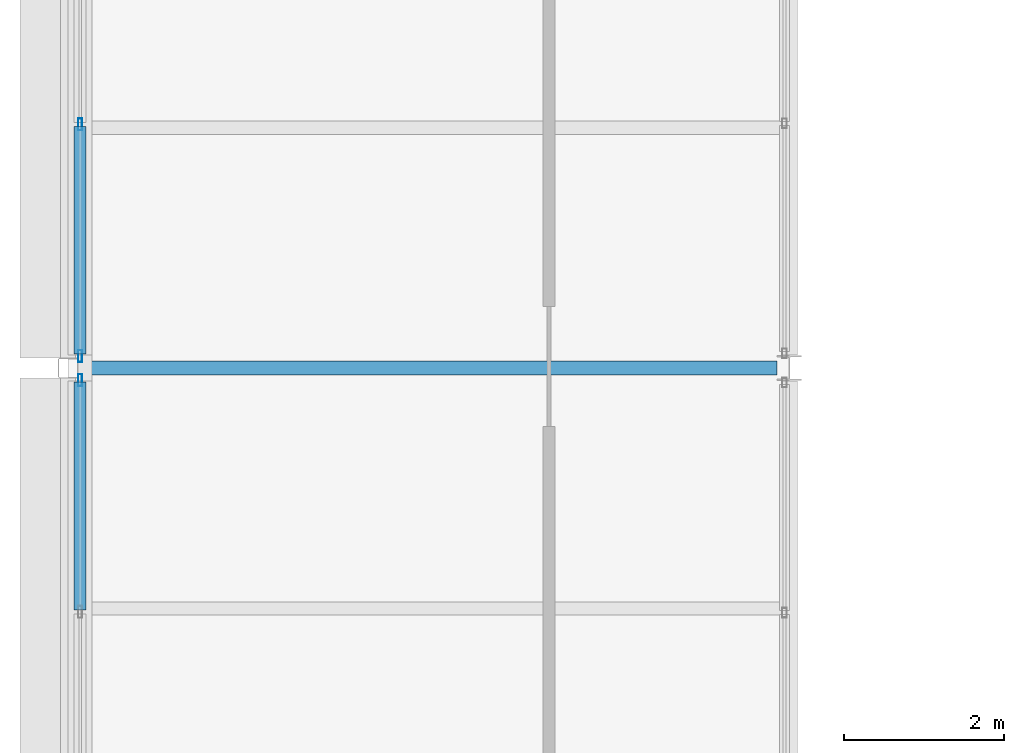
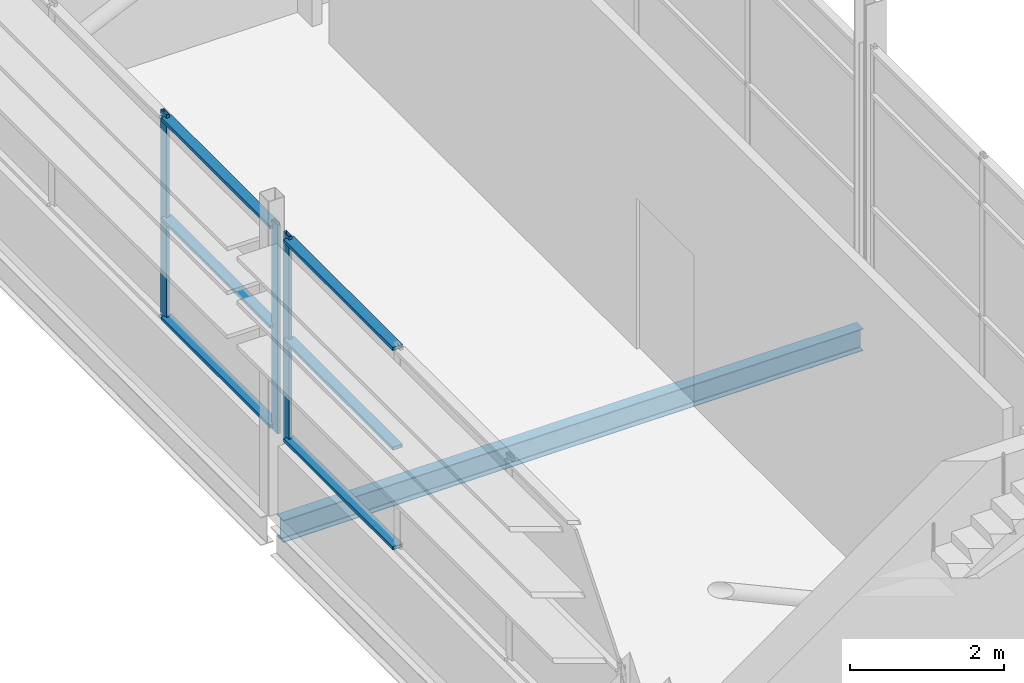
# One storey, part 17 of 61: 9 members, 1 beam, 2 elements without a shape of their own.
"""IFC4 building model written with IfcOpenShell, lengths in metres."""

from ifc_helpers import new_model, si_unit, direction, frame, origin, origin_2d, place, context, subcontext, project, spatial, hollow_rectangle, i_section, extrude, material, layer, layer_set, material_profile, profile_set, type_object, element, aggregate, save


model = new_model("IFC4")

# Units and contexts
model_context = context("Model", 3, precision=1e-05, world=origin(), true_north=direction((0.0, 1.0)))
body_context = subcontext(model_context, "Body", "Model", "MODEL_VIEW")
ifc_project = project(units=[si_unit("LENGTHUNIT", "METRE"), si_unit("AREAUNIT", "SQUARE_METRE"), si_unit("VOLUMEUNIT", "CUBIC_METRE"), si_unit("PLANEANGLEUNIT", "RADIAN"), si_unit("MASSUNIT", "GRAM", prefix="KILO")], contexts=[model_context])

# Site, building, storey
site_placement = place(None, origin())
site = spatial("IfcSite", under=ifc_project, at=site_placement, CompositionType="ELEMENT")
building_placement = place(site_placement, origin())
building = spatial("IfcBuilding", under=site, at=building_placement, Name="Shorebreak Coast Museum", CompositionType="ELEMENT")
storey_placement = place(building_placement, frame((0.0, 0.0, 26.0)))
storey = spatial("IfcBuildingStorey", under=building, at=storey_placement, Name="L04", CompositionType="ELEMENT", Elevation=26.0)

# Beam
ifc_material_1 = material(Name="Steel Grade 300", Category="steel")
ifc_material_profile_1 = material_profile(ifc_material_1, i_section(OverallWidth=0.1708984375, OverallDepth=0.35205078125, WebThickness=0.0068359375, FlangeThickness=0.009765625, FilletRadius=0.011474609375, at=origin_2d()), Name="360UB44.7")
ifc_profile_set_1 = profile_set([ifc_material_profile_1], Name="Steel Grade 300")
beam_type = type_object("IfcBeamType", Name="Floor girder east-west 360UB44.7", PredefinedType="BEAM", material=ifc_profile_set_1)
beam_placement = place(storey_placement, frame((54.125, 72.0, -0.35107421875), z_axis=(1.0, 0.0, 0.0), x_axis=(0.0, 1.0, 0.0)))
element("IfcBeam", 1, at=beam_placement, inside=storey, type_object=beam_type, Name="Floor girder east-west L04 7J", PredefinedType="BEAM", context=body_context, shape_type="SweptSolid", body=[
    extrude(i_section(OverallWidth=0.1708984375, OverallDepth=0.35205078125, WebThickness=0.0068359375, FlangeThickness=0.009765625, FilletRadius=0.011474609375, at=origin_2d()), origin(), (0.0, 0.0, 1.0), 8.720458984375),
])

# Curtain wall, member
ifc_material_2 = material(Name="Aluminium", Category="aluminium")
ifc_layer = layer(ifc_material_2, 0.14990234375)
ifc_layer_set = layer_set([ifc_layer], Name="Aluminium")
curtain_wall_type = type_object("IfcCurtainWallType", Name="Storefront curtain wall", PredefinedType="NOTDEFINED", material=ifc_layer_set)
curtain_wall_1_placement = place(storey_placement, origin())
curtain_wall_1 = element("IfcCurtainWall", 2, at=curtain_wall_1_placement, inside=storey, type_object=curtain_wall_type, Name="Atrium Hall glazing L04 W 9", PredefinedType="NOTDEFINED")
ifc_material_3 = material(Name="Aluminium", Category="aluminium")
ifc_material_profile_2 = material_profile(ifc_material_3, hollow_rectangle(XDim=0.050048828125, YDim=0.14990234375, WallThickness=0.00390625, at=origin_2d()), Name="AL 150x50 RHS")
ifc_profile_set_2 = profile_set([ifc_material_profile_2], Name="Aluminium")
member_type_1 = type_object("IfcMemberType", Name="Storefront mullion 50 x 150", PredefinedType="MULLION", material=ifc_profile_set_2)
member_1_placement = place(storey_placement, frame((54.14990234375, 71.85009765625, 1.10009765625), z_axis=(0.0, 0.0, 1.0), x_axis=(-1.0, 0.0, 0.0)))
member_1 = element("IfcMember", 3, at=member_1_placement, type_object=member_type_1, Name="CW5 mullion 4", PredefinedType="MULLION", context=body_context, shape_type="SweptSolid", body=[
    extrude(hollow_rectangle(XDim=0.050048828125, YDim=0.14990234375, WallThickness=0.00390625, at=origin_2d()), origin(), (0.0, 0.0, 1.0), 3.318603515625),
])

# Curtain wall, members
curtain_wall_2_placement = place(storey_placement, origin())
curtain_wall_2 = element("IfcCurtainWall", 4, at=curtain_wall_2_placement, inside=storey, type_object=curtain_wall_type, Name="Atrium Hall glazing L04 W 10", PredefinedType="NOTDEFINED")
member_2_placement = place(storey_placement, frame((54.14990234375, 72.14990234375, 1.10009765625), z_axis=(0.0, 0.0, 1.0), x_axis=(-1.0, 0.0, 0.0)))
member_2 = element("IfcMember", 5, at=member_2_placement, type_object=member_type_1, Name="CW5 mullion 1", PredefinedType="MULLION", context=body_context, shape_type="SweptSolid", body=[
    extrude(hollow_rectangle(XDim=0.050048828125, YDim=0.14990234375, WallThickness=0.00390625, at=origin_2d()), origin(), (0.0, 0.0, 1.0), 3.318603515625),
])
member_3_placement = place(storey_placement, frame((54.14990234375, 75.041748046875, 1.10009765625), z_axis=(0.0, 0.0, 1.0), x_axis=(-1.0, 0.0, 0.0)))
member_3 = element("IfcMember", 6, at=member_3_placement, type_object=member_type_1, Name="CW5 mullion 2", PredefinedType="MULLION", context=body_context, shape_type="SweptSolid", body=[
    extrude(hollow_rectangle(XDim=0.050048828125, YDim=0.14990234375, WallThickness=0.00390625, at=origin_2d()), origin(), (0.0, 0.0, 1.0), 3.318603515625),
])

# Member
ifc_material_4 = material(Name="Aluminium", Category="aluminium")
ifc_material_profile_3 = material_profile(ifc_material_4, hollow_rectangle(XDim=0.14990234375, YDim=0.050048828125, WallThickness=0.00390625, at=origin_2d()), Name="AL 50x150 RHS")
ifc_profile_set_3 = profile_set([ifc_material_profile_3], Name="Aluminium")
member_type_2 = type_object("IfcMemberType", Name="Storefront transom 150 x 50", PredefinedType="USERDEFINED", material=ifc_profile_set_3)
member_4_placement = place(storey_placement, frame((54.14990234375, 68.9833984375, 1.175048828125), z_axis=(0.0, 1.0, 0.0), x_axis=(-1.0, 0.0, 0.0)))
member_4 = element("IfcMember", 7, at=member_4_placement, type_object=member_type_2, Name="CW5 transom 3.1", ObjectType="TRANSOM", PredefinedType="USERDEFINED", context=body_context, shape_type="SweptSolid", body=[
    extrude(hollow_rectangle(XDim=0.14990234375, YDim=0.050048828125, WallThickness=0.00390625, at=origin_2d()), origin(), (0.0, 0.0, 1.0), 2.841552734375),
])

member_5_placement = place(storey_placement, frame((54.14990234375, 68.9833984375, 2.75927734375), z_axis=(0.0, 1.0, 0.0), x_axis=(-1.0, 0.0, 0.0)))
member_5 = element("IfcMember", 8, at=member_5_placement, type_object=member_type_2, Name="CW5 transom 3.2", ObjectType="TRANSOM", PredefinedType="USERDEFINED", context=body_context, shape_type="SweptSolid", body=[
    extrude(hollow_rectangle(XDim=0.14990234375, YDim=0.050048828125, WallThickness=0.00390625, at=origin_2d()), origin(), (0.0, 0.0, 1.0), 2.841552734375),
])

member_6_placement = place(storey_placement, frame((54.14990234375, 68.9833984375, 4.343505859375), z_axis=(0.0, 1.0, 0.0), x_axis=(-1.0, 0.0, 0.0)))
member_6 = element("IfcMember", 9, at=member_6_placement, type_object=member_type_2, Name="CW5 transom 3.3", ObjectType="TRANSOM", PredefinedType="USERDEFINED", context=body_context, shape_type="SweptSolid", body=[
    extrude(hollow_rectangle(XDim=0.14990234375, YDim=0.050048828125, WallThickness=0.00390625, at=origin_2d()), origin(), (0.0, 0.0, 1.0), 2.841552734375),
])

aggregate(curtain_wall_1, [member_1, member_4, member_5, member_6])

member_7_placement = place(storey_placement, frame((54.14990234375, 72.175048828125, 1.175048828125), z_axis=(0.0, 1.0, 0.0), x_axis=(-1.0, 0.0, 0.0)))
member_7 = element("IfcMember", 10, at=member_7_placement, type_object=member_type_2, Name="CW5 transom 1.1", ObjectType="TRANSOM", PredefinedType="USERDEFINED", context=body_context, shape_type="SweptSolid", body=[
    extrude(hollow_rectangle(XDim=0.14990234375, YDim=0.050048828125, WallThickness=0.00390625, at=origin_2d()), origin(), (0.0, 0.0, 1.0), 2.841552734375),
])

member_8_placement = place(storey_placement, frame((54.14990234375, 72.175048828125, 2.75927734375), z_axis=(0.0, 1.0, 0.0), x_axis=(-1.0, 0.0, 0.0)))
member_8 = element("IfcMember", 11, at=member_8_placement, type_object=member_type_2, Name="CW5 transom 1.2", ObjectType="TRANSOM", PredefinedType="USERDEFINED", context=body_context, shape_type="SweptSolid", body=[
    extrude(hollow_rectangle(XDim=0.14990234375, YDim=0.050048828125, WallThickness=0.00390625, at=origin_2d()), origin(), (0.0, 0.0, 1.0), 2.841552734375),
])

member_9_placement = place(storey_placement, frame((54.14990234375, 72.175048828125, 4.343505859375), z_axis=(0.0, 1.0, 0.0), x_axis=(-1.0, 0.0, 0.0)))
member_9 = element("IfcMember", 12, at=member_9_placement, type_object=member_type_2, Name="CW5 transom 1.3", ObjectType="TRANSOM", PredefinedType="USERDEFINED", context=body_context, shape_type="SweptSolid", body=[
    extrude(hollow_rectangle(XDim=0.14990234375, YDim=0.050048828125, WallThickness=0.00390625, at=origin_2d()), origin(), (0.0, 0.0, 1.0), 2.841552734375),
])

aggregate(curtain_wall_2, [member_2, member_3, member_7, member_8, member_9])

save(model, "model.ifc")
